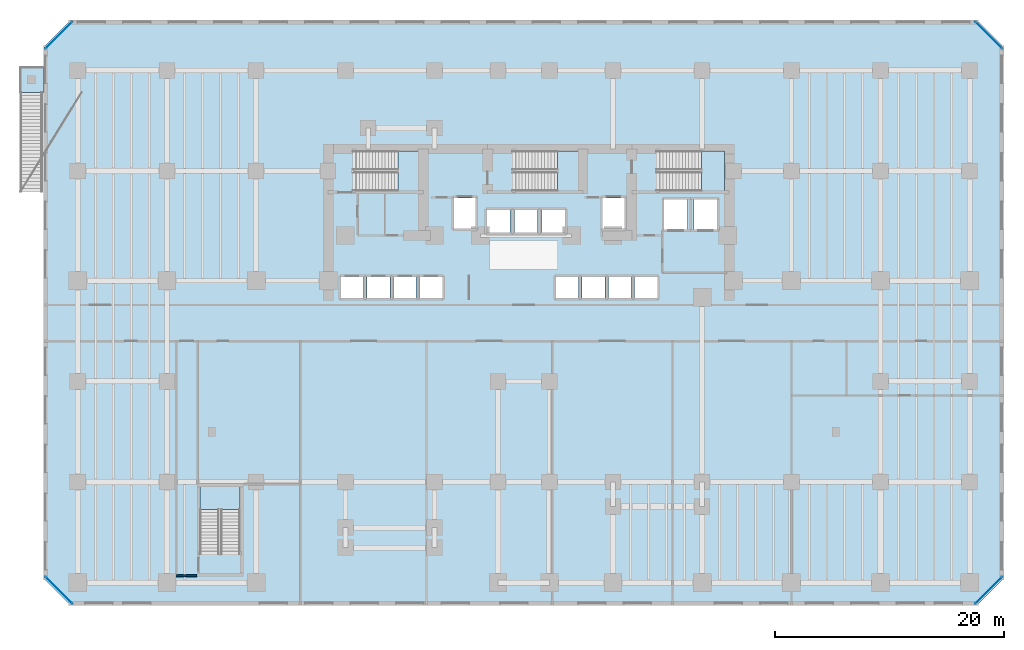
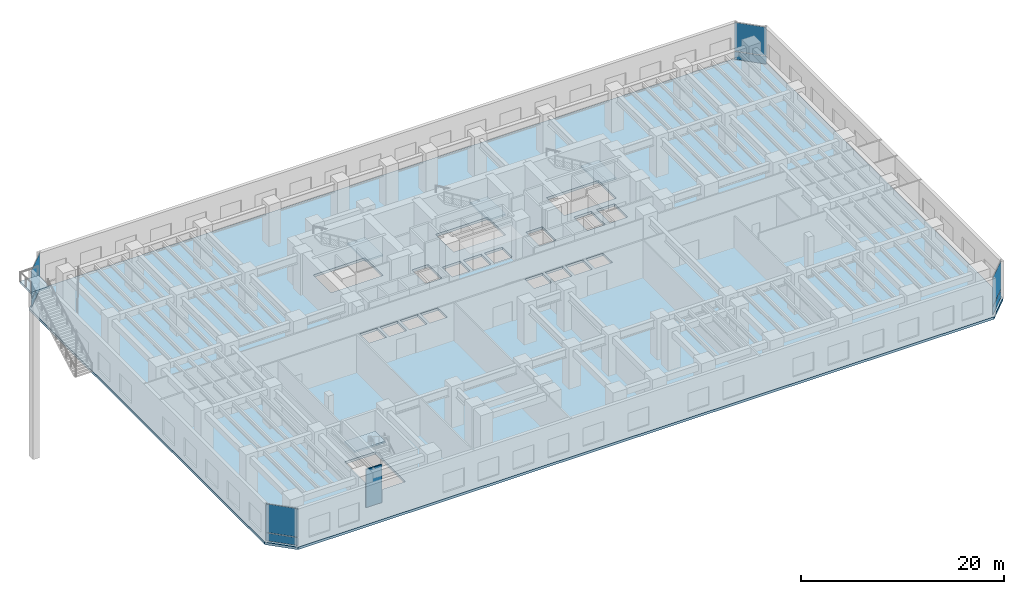
# One storey, part 9 of 20: 8 plates, 6 slabs, 1 wall, 9 elements without a shape of their own.
"""IFC4 building model written with IfcOpenShell, lengths in metres."""

import ifcopenshell
import ifcopenshell.guid

model = None  # the IFC model being written
_history = None  # IfcOwnerHistory: only IFC2X3 demands one
_inside = {}  # id of a spatial element -> (the spatial element, [elements in it])
_under = {}  # id of a project, library or spatial element -> (it, [spatial elements below it])
_declared = {}  # id of a project -> (the project, [libraries it declares])
_typed = {}  # id of a type object -> (the type object, [elements of that type])
_made_of = {}  # id of a material, layer set ... -> (it, [elements and type objects made of it])


def new_model(schema):
    """Start an empty IFC model of exactly this schema.

    Asked for "IFC4X3", IfcOpenShell would pick the latest addendum, in which some entities
    have other attributes; the version numbers below select the first issue.
    IFC2X3 requires an IfcOwnerHistory on every rooted entity: one is made here for all.
    """
    global model, _history
    if schema == "IFC4X3":
        model = ifcopenshell.file(schema_version=(4, 3, 0, 0))
    else:
        model = ifcopenshell.file(schema=schema)
    _inside.clear()
    _under.clear()
    _declared.clear()
    _typed.clear()
    _made_of.clear()
    _history = None
    if model.schema == "IFC2X3":
        org = make("IfcOrganization", Name="unknown")
        user = make(
            "IfcPersonAndOrganization",
            ThePerson=make("IfcPerson", FamilyName="unknown"),
            TheOrganization=org,
        )
        app = make(
            "IfcApplication",
            ApplicationDeveloper=org,
            Version="unknown",
            ApplicationFullName="unknown",
            ApplicationIdentifier="unknown",
        )
        _history = make(
            "IfcOwnerHistory",
            OwningUser=user,
            OwningApplication=app,
            ChangeAction="ADDED",
            CreationDate=0,
        )
    return model


def make(cls, **values):
    """One entity of the class cls with the attributes given. An attribute that is None is left unset."""
    return model.create_entity(
        cls, **{name: value for name, value in values.items() if value is not None}
    )


def rooted(cls, **values):
    """An entity with a GlobalId (a new one), such as an element, a storey or a relation."""
    return make(cls, GlobalId=ifcopenshell.guid.new(), OwnerHistory=_history, **values)


def si_unit(unit_type, name, prefix=None):
    """IfcSIUnit, for example si_unit("LENGTHUNIT", "METRE", prefix="MILLI")."""
    return make("IfcSIUnit", UnitType=unit_type, Prefix=prefix, Name=name)


def assignment(units):
    """IfcUnitAssignment: the units of a project."""
    return None if units is None else make("IfcUnitAssignment", Units=units)


def point(xyz):
    """IfcCartesianPoint."""
    return None if xyz is None else make("IfcCartesianPoint", Coordinates=xyz)


def direction(xyz):
    """IfcDirection."""
    return None if xyz is None else make("IfcDirection", DirectionRatios=xyz)


def frame(location, z_axis=None, x_axis=None):
    """IfcAxis2Placement3D, a coordinate frame: its origin and axes. An axis left out is left unset."""
    return make(
        "IfcAxis2Placement3D",
        Location=point(location),
        Axis=direction(z_axis),
        RefDirection=direction(x_axis),
    )


def frame_2d(location, x_axis=None):
    """IfcAxis2Placement2D, a coordinate frame in the plane: its origin and x axis."""
    return make(
        "IfcAxis2Placement2D", Location=point(location), RefDirection=direction(x_axis)
    )


def origin():
    """The frame at (0, 0, 0) with its axes left unset."""
    return frame((0.0, 0.0, 0.0))


def origin_2d():
    """The frame at (0, 0) in the plane with its x axis left unset."""
    return frame_2d((0.0, 0.0))


def place(relative_to, where):
    """IfcLocalPlacement: puts the frame where relative to a parent placement (None: the world)."""
    return make(
        "IfcLocalPlacement", PlacementRelTo=relative_to, RelativePlacement=where
    )


def context(
    kind, dimensions, precision=None, world=None, true_north=None, identifier=None
):
    """IfcGeometricRepresentationContext, for example the 3D "Model" context."""
    return make(
        "IfcGeometricRepresentationContext",
        ContextIdentifier=identifier,
        ContextType=kind,
        CoordinateSpaceDimension=dimensions,
        Precision=precision,
        WorldCoordinateSystem=world,
        TrueNorth=true_north,
    )


def subcontext(parent, identifier, kind, view, scale=None):
    """IfcGeometricRepresentationSubContext, for example "Body" below "Model"."""
    return make(
        "IfcGeometricRepresentationSubContext",
        ContextIdentifier=identifier,
        ContextType=kind,
        ParentContext=parent,
        TargetScale=scale,
        TargetView=view,
    )


def project(units=None, contexts=None):
    """IfcProject with its units and contexts."""
    return rooted(
        "IfcProject",
        Name="project",
        RepresentationContexts=contexts,
        UnitsInContext=assignment(units),
    )


def spatial(cls, under=None, at=None, **own):
    """A site, building, storey or space (cls), placed at a placement, below another one or the project."""
    s = rooted(cls, ObjectPlacement=at, **own)
    if under is not None:
        _under.setdefault(under.id(), (under, []))[1].append(s)
    return s


def polyline(points):
    """IfcPolyline through the points."""
    return make("IfcPolyline", Points=[point(p) for p in points])


def profile(cls, at=None, kind="AREA", **sizes):
    """A parametric profile (cls). Its sizes go by their IFC names, for example OverallWidth=200.0."""
    return make(cls, ProfileType=kind, Position=at, **sizes)


def rectangle(**sizes):
    """IfcRectangleProfileDef."""
    return profile("IfcRectangleProfileDef", **sizes)


def outline(outer, holes=None, kind="AREA"):
    """IfcArbitraryClosedProfileDef: a profile drawn as a closed curve; with holes, ...WithVoids."""
    if holes is None:
        return make("IfcArbitraryClosedProfileDef", ProfileType=kind, OuterCurve=outer)
    return make(
        "IfcArbitraryProfileDefWithVoids",
        ProfileType=kind,
        OuterCurve=outer,
        InnerCurves=holes,
    )


def extrude(swept, where, along, depth):
    """IfcExtrudedAreaSolid: the profile swept, set in the frame where, extruded along a direction by depth."""
    return make(
        "IfcExtrudedAreaSolid",
        SweptArea=swept,
        Position=where,
        ExtrudedDirection=direction(along),
        Depth=depth,
    )


def shape(context_of_items, identifier, shape_type, items):
    """IfcShapeRepresentation: the items that make up one representation, for example the "Body"."""
    return make(
        "IfcShapeRepresentation",
        ContextOfItems=context_of_items,
        RepresentationIdentifier=identifier,
        RepresentationType=shape_type,
        Items=items,
    )


def material(Name=None, Category=None):
    """IfcMaterial."""
    return make("IfcMaterial", Name=Name, Category=Category)


def layer(
    of_material, thickness, ventilated=None, Name=None, Category=None, Priority=None
):
    """IfcMaterialLayer: one layer of a wall or slab, of a material (None: an air gap)."""
    return make(
        "IfcMaterialLayer",
        Material=of_material,
        LayerThickness=thickness,
        IsVentilated=ventilated,
        Name=Name,
        Category=Category,
        Priority=Priority,
    )


def layer_set(layers, Name=None):
    """IfcMaterialLayerSet."""
    return make("IfcMaterialLayerSet", MaterialLayers=layers, LayerSetName=Name)


def made_of(thing, what):
    """Note that an element or type object is made of a material, layer set ...; save() writes the relation."""
    if what is not None:
        _made_of.setdefault(what.id(), (what, []))[1].append(thing)
    return thing


def type_object(cls, material=None, **own):
    """A type object (cls), such as IfcWallType, which elements share."""
    return made_of(rooted(cls, **own), material)


def element(
    cls,
    number,
    at=None,
    inside=None,
    cuts=None,
    type_object=None,
    material=None,
    context=None,
    identifier="Body",
    shape_type=None,
    held_by="IfcProductDefinitionShape",
    body=None,
    shapes=None,
    **own,
):
    """One element of the class cls, such as IfcWall. Its Tag is "e" and its number.

    at: its placement. inside: the storey or other place that contains it. cuts: it is an
    opening in that element (IfcRelVoidsElement). A single representation is given by context,
    identifier, shape_type and body (its items); several are given by shapes. held_by: the class
    of the entity that holds the representations. save() writes the other relations.
    """
    e = rooted(cls, Tag="e%d" % number, ObjectPlacement=at, **own)
    if body is not None:
        shapes = [shape(context, identifier, shape_type, body)]
    if shapes is not None:
        e.Representation = make(held_by, Representations=shapes)
    if inside is not None:
        _inside.setdefault(inside.id(), (inside, []))[1].append(e)
    if cuts is not None:
        rooted(
            "IfcRelVoidsElement", RelatingBuildingElement=cuts, RelatedOpeningElement=e
        )
    if type_object is not None:
        _typed.setdefault(type_object.id(), (type_object, []))[1].append(e)
    return made_of(e, material)


def aggregate(whole, parts):
    """IfcRelAggregates: a whole, such as a stair, and the parts it consists of."""
    return rooted("IfcRelAggregates", RelatingObject=whole, RelatedObjects=parts)


def save(model, path):
    """Write the relations noted so far, then the file.

    IfcRelAggregates (storeys below a building ...), IfcRelContainedInSpatialStructure (elements
    in a storey), IfcRelDefinesByType, IfcRelAssociatesMaterial and IfcRelDeclares: one each for
    every whole, place, type object, material and project.
    """
    for whole, parts in _under.values():
        aggregate(whole, parts)
    for where, things in _inside.values():
        rooted(
            "IfcRelContainedInSpatialStructure",
            RelatedElements=things,
            RelatingStructure=where,
        )
    for kind, things in _typed.values():
        rooted("IfcRelDefinesByType", RelatedObjects=things, RelatingType=kind)
    for what, things in _made_of.values():
        rooted("IfcRelAssociatesMaterial", RelatedObjects=things, RelatingMaterial=what)
    for by, libraries in _declared.values():
        rooted("IfcRelDeclares", RelatingContext=by, RelatedDefinitions=libraries)
    model.write(path)


model = new_model("IFC4")

# Units and contexts
model_context = context("Model", 3, precision=1e-05, world=origin(), true_north=direction((0.0, 1.0)))
body_context = subcontext(model_context, "Body", "Model", "MODEL_VIEW")
ifc_project = project(units=[si_unit("LENGTHUNIT", "METRE"), si_unit("AREAUNIT", "SQUARE_METRE"), si_unit("VOLUMEUNIT", "CUBIC_METRE"), si_unit("PLANEANGLEUNIT", "RADIAN"), si_unit("MASSUNIT", "GRAM", prefix="KILO")], contexts=[model_context])

# Site, building, storey
site_placement = place(None, origin())
site = spatial("IfcSite", under=ifc_project, at=site_placement, CompositionType="ELEMENT")
building_placement = place(site_placement, origin())
building = spatial("IfcBuilding", under=site, at=building_placement, Name="Kestravale Grand Hotel", CompositionType="ELEMENT")
storey_placement = place(building_placement, frame((0.0, 0.0, 15.800048828125)))
storey = spatial("IfcBuildingStorey", under=building, at=storey_placement, Name="L03", CompositionType="ELEMENT", Elevation=15.800048828125)

# Curtain wall, plates
ifc_material_1 = material(Name="Thermally broken champagne-bronze aluminium and low-E glazing", Category="aluminium")
ifc_layer_1 = layer(ifc_material_1, 0.239990234375)
ifc_layer_set_1 = layer_set([ifc_layer_1], Name="CW-POD")
curtain_wall_type = type_object("IfcCurtainWallType", Name="CW-POD", PredefinedType="NOTDEFINED", material=ifc_layer_set_1)
curtain_wall_1_placement = place(storey_placement, origin())
curtain_wall_1 = element("IfcCurtainWall", 1, at=curtain_wall_1_placement, inside=storey, type_object=curtain_wall_type, Name="L03 unitised curtain wall 2", PredefinedType="NOTDEFINED")
ifc_material_2 = material(Name="Insulated clear low-E double glazing IGU", Category="glass")
ifc_layer_2 = layer(ifc_material_2, 0.035888671875)
ifc_layer_set_2 = layer_set([ifc_layer_2], Name="CW-PNL-36")
plate_type = type_object("IfcPlateType", Name="CW-PNL-36", PredefinedType="CURTAIN_PANEL", material=ifc_layer_set_2)
plate_1_placement = place(storey_placement, frame((79.665771484375, 1.734375, 0.074951171875), z_axis=(0.0, 0.0, 1.0), x_axis=(0.707106781187, 0.707106781187, 0.0)))
plate_1 = element("IfcPlate", 2, at=plate_1_placement, type_object=plate_type, Name="CW-POD panel 1.1", PredefinedType="CURTAIN_PANEL", context=body_context, shape_type="SweptSolid", body=[
    extrude(rectangle(XDim=3.26416015625, YDim=0.035888671875, at=origin_2d()), origin(), (0.0, 0.0, 1.0), 0.9375),
])
plate_2_placement = place(storey_placement, frame((79.665771484375, 1.734375, 1.08740234375), z_axis=(0.0, 0.0, 1.0), x_axis=(0.707106781187, 0.707106781187, 0.0)))
plate_2 = element("IfcPlate", 3, at=plate_2_placement, type_object=plate_type, Name="CW-POD panel 1.2", PredefinedType="CURTAIN_PANEL", context=body_context, shape_type="SweptSolid", body=[
    extrude(rectangle(XDim=3.26416015625, YDim=0.035888671875, at=origin_2d()), origin(), (0.0, 0.0, 1.0), 3.41748046875),
])
aggregate(curtain_wall_1, [plate_1, plate_2])

curtain_wall_2_placement = place(storey_placement, origin())
curtain_wall_2 = element("IfcCurtainWall", 4, at=curtain_wall_2_placement, inside=storey, type_object=curtain_wall_type, Name="L03 unitised curtain wall 4", PredefinedType="NOTDEFINED")
plate_3_placement = place(storey_placement, frame((79.665771484375, 50.265625, 0.074951171875), z_axis=(0.0, 0.0, 1.0), x_axis=(-0.707106781187, 0.707106781187, 0.0)))
plate_3 = element("IfcPlate", 5, at=plate_3_placement, type_object=plate_type, Name="CW-POD panel 1.1", PredefinedType="CURTAIN_PANEL", context=body_context, shape_type="SweptSolid", body=[
    extrude(rectangle(XDim=3.26416015625, YDim=0.035888671875, at=origin_2d()), origin(), (0.0, 0.0, 1.0), 0.9375),
])
plate_4_placement = place(storey_placement, frame((79.665771484375, 50.265625, 1.08740234375), z_axis=(0.0, 0.0, 1.0), x_axis=(-0.707106781187, 0.707106781187, 0.0)))
plate_4 = element("IfcPlate", 6, at=plate_4_placement, type_object=plate_type, Name="CW-POD panel 1.2", PredefinedType="CURTAIN_PANEL", context=body_context, shape_type="SweptSolid", body=[
    extrude(rectangle(XDim=3.26416015625, YDim=0.035888671875, at=origin_2d()), origin(), (0.0, 0.0, 1.0), 3.41748046875),
])
aggregate(curtain_wall_2, [plate_3, plate_4])

curtain_wall_3_placement = place(storey_placement, origin())
curtain_wall_3 = element("IfcCurtainWall", 7, at=curtain_wall_3_placement, inside=storey, type_object=curtain_wall_type, Name="L03 unitised curtain wall 6", PredefinedType="NOTDEFINED")
plate_5_placement = place(storey_placement, frame((-1.665771484375, 50.265625, 0.074951171875), z_axis=(0.0, 0.0, 1.0), x_axis=(-0.707106781187, -0.707106781187, 0.0)))
plate_5 = element("IfcPlate", 8, at=plate_5_placement, type_object=plate_type, Name="CW-POD panel 1.1", PredefinedType="CURTAIN_PANEL", context=body_context, shape_type="SweptSolid", body=[
    extrude(rectangle(XDim=3.26416015625, YDim=0.035888671875, at=origin_2d()), origin(), (0.0, 0.0, 1.0), 0.9375),
])
plate_6_placement = place(storey_placement, frame((-1.665771484375, 50.265625, 1.08740234375), z_axis=(0.0, 0.0, 1.0), x_axis=(-0.707106781187, -0.707106781187, 0.0)))
plate_6 = element("IfcPlate", 9, at=plate_6_placement, type_object=plate_type, Name="CW-POD panel 1.2", PredefinedType="CURTAIN_PANEL", context=body_context, shape_type="SweptSolid", body=[
    extrude(rectangle(XDim=3.26416015625, YDim=0.035888671875, at=origin_2d()), origin(), (0.0, 0.0, 1.0), 3.41748046875),
])
aggregate(curtain_wall_3, [plate_5, plate_6])

curtain_wall_4_placement = place(storey_placement, origin())
curtain_wall_4 = element("IfcCurtainWall", 10, at=curtain_wall_4_placement, inside=storey, type_object=curtain_wall_type, Name="L03 unitised curtain wall 8", PredefinedType="NOTDEFINED")
plate_7_placement = place(storey_placement, frame((-1.665771484375, 1.734375, 0.074951171875), z_axis=(0.0, 0.0, 1.0), x_axis=(0.707106781187, -0.707106781187, 0.0)))
plate_7 = element("IfcPlate", 11, at=plate_7_placement, type_object=plate_type, Name="CW-POD panel 1.1", PredefinedType="CURTAIN_PANEL", context=body_context, shape_type="SweptSolid", body=[
    extrude(rectangle(XDim=3.26416015625, YDim=0.035888671875, at=origin_2d()), origin(), (0.0, 0.0, 1.0), 0.9375),
])
plate_8_placement = place(storey_placement, frame((-1.665771484375, 1.734375, 1.08740234375), z_axis=(0.0, 0.0, 1.0), x_axis=(0.707106781187, -0.707106781187, 0.0)))
plate_8 = element("IfcPlate", 12, at=plate_8_placement, type_object=plate_type, Name="CW-POD panel 1.2", PredefinedType="CURTAIN_PANEL", context=body_context, shape_type="SweptSolid", body=[
    extrude(rectangle(XDim=3.26416015625, YDim=0.035888671875, at=origin_2d()), origin(), (0.0, 0.0, 1.0), 3.41748046875),
])
aggregate(curtain_wall_4, [plate_7, plate_8])

# Stair, slab
ifc_material_3 = material(Name="Concrete f'c 45 MPa", Category="concrete")
stair_type_1 = type_object("IfcStairType", Name="ST-EXT-GDN", PredefinedType="STRAIGHT_RUN_STAIR", material=ifc_material_3)
stair_1_placement = place(storey_placement, origin())
stair_1 = element("IfcStair", 13, at=stair_1_placement, inside=storey, type_object=stair_type_1, Name="L03 cascading public garden stair 4", PredefinedType="STRAIGHT_RUN_STAIR")
ifc_material_4 = material(Name="Concrete f'c 45 MPa", Category="concrete")
ifc_layer_3 = layer(ifc_material_4, 0.25)
ifc_layer_set_3 = layer_set([ifc_layer_3], Name="SLB-EXT-LND")
slab_type_1 = type_object("IfcSlabType", Name="SLB-EXT-LND", PredefinedType="LANDING", material=ifc_layer_set_3)
slab_1_placement = place(storey_placement, frame((0.0, 0.0, 4.75)))
slab_1 = element("IfcSlab", 14, at=slab_1_placement, type_object=slab_type_1, Name="ST-G4 landing 1", PredefinedType="LANDING", context=body_context, shape_type="SweptSolid", body=[
    extrude(outline(polyline([(-5.050048828125, 45.280029296875), (-2.949951171875, 45.280029296875), (-2.949951171875, 47.47998046875), (-5.050048828125, 47.47998046875), (-5.050048828125, 45.280029296875)])), origin(), (0.0, 0.0, 1.0), 0.25),
])
aggregate(stair_1, [slab_1])

ifc_material_5 = material(Name="Concrete f'c 45 MPa", Category="concrete")
stair_type_2 = type_object("IfcStairType", Name="ST-CORE-500", PredefinedType="HALF_TURN_STAIR", material=ifc_material_5)
stair_2_placement = place(storey_placement, origin())
stair_2 = element("IfcStair", 15, at=stair_2_placement, inside=storey, type_object=stair_type_2, Name="L03 ST-1", PredefinedType="HALF_TURN_STAIR")
ifc_material_6 = material(Name="Concrete f'c 45 MPa", Category="concrete")
ifc_layer_4 = layer(ifc_material_6, 0.199951171875)
ifc_layer_set_4 = layer_set([ifc_layer_4], Name="SLB-ST-LND200")
slab_type_2 = type_object("IfcSlabType", Name="SLB-ST-LND200", PredefinedType="LANDING", material=ifc_layer_set_4)
slab_2_placement = place(storey_placement, frame((0.0, 0.0, 2.300048828125)))
slab_2 = element("IfcSlab", 16, at=slab_2_placement, type_object=slab_type_2, Name="ST-1 landing 1", PredefinedType="LANDING", context=body_context, shape_type="SweptSolid", body=[
    extrude(outline(polyline([(28.0, 36.64990234375), (30.0, 36.64990234375), (30.0, 40.159912109375), (28.0, 40.159912109375), (28.0, 36.64990234375)])), origin(), (0.0, 0.0, 1.0), 0.199951171875),
])
aggregate(stair_2, [slab_2])

stair_3_placement = place(storey_placement, origin())
stair_3 = element("IfcStair", 17, at=stair_3_placement, inside=storey, type_object=stair_type_2, Name="L03 ST-2", PredefinedType="HALF_TURN_STAIR")
slab_3_placement = place(storey_placement, frame((0.0, 0.0, 2.300048828125)))
slab_3 = element("IfcSlab", 18, at=slab_3_placement, type_object=slab_type_2, Name="ST-2 landing 1", PredefinedType="LANDING", context=body_context, shape_type="SweptSolid", body=[
    extrude(outline(polyline([(41.949951171875, 36.64990234375), (43.949951171875, 36.64990234375), (43.949951171875, 40.159912109375), (41.949951171875, 40.159912109375), (41.949951171875, 36.64990234375)])), origin(), (0.0, 0.0, 1.0), 0.199951171875),
])
aggregate(stair_3, [slab_3])

stair_4_placement = place(storey_placement, origin())
stair_4 = element("IfcStair", 19, at=stair_4_placement, inside=storey, type_object=stair_type_2, Name="L03 ST-3", PredefinedType="HALF_TURN_STAIR")
slab_4_placement = place(storey_placement, frame((0.0, 0.0, 2.300048828125)))
slab_4 = element("IfcSlab", 20, at=slab_4_placement, type_object=slab_type_2, Name="ST-3 landing 1", PredefinedType="LANDING", context=body_context, shape_type="SweptSolid", body=[
    extrude(outline(polyline([(54.550048828125, 36.64990234375), (56.550048828125, 36.64990234375), (56.550048828125, 40.159912109375), (54.550048828125, 40.159912109375), (54.550048828125, 36.64990234375)])), origin(), (0.0, 0.0, 1.0), 0.199951171875),
])
aggregate(stair_4, [slab_4])

stair_5_placement = place(storey_placement, origin())
stair_5 = element("IfcStair", 21, at=stair_5_placement, inside=storey, type_object=stair_type_2, Name="L03 ST-4", PredefinedType="HALF_TURN_STAIR")
slab_5_placement = place(storey_placement, frame((0.0, 0.0, 2.300048828125)))
slab_5 = element("IfcSlab", 22, at=slab_5_placement, type_object=slab_type_2, Name="ST-4 landing 1", PredefinedType="LANDING", context=body_context, shape_type="SweptSolid", body=[
    extrude(outline(polyline([(14.199951171875, 8.800048828125), (14.199951171875, 10.800048828125), (10.68994140625, 10.800048828125), (10.68994140625, 8.800048828125), (14.199951171875, 8.800048828125)])), origin(), (0.0, 0.0, 1.0), 0.199951171875),
])
aggregate(stair_5, [slab_5])

# Slab
ifc_material_7 = material(Name="Concrete f'c 45 MPa", Category="concrete")
ifc_layer_5 = layer(ifc_material_7, 0.300048828125)
ifc_layer_set_5 = layer_set([ifc_layer_5], Name="SS-POD-300")
slab_type_3 = type_object("IfcSlabType", Name="SS-POD-300", PredefinedType="FLOOR", material=ifc_layer_set_5)
slab_6_placement = place(storey_placement, frame((0.0, 0.0, -0.300048828125)))
element("IfcSlab", 23, at=slab_6_placement, inside=storey, type_object=slab_type_3, Name="L03 structural floor slab", PredefinedType="FLOOR", context=body_context, shape_type="SweptSolid", body=[
    extrude(outline(polyline([(-0.60009765625, 0.39990234375), (78.60009765625, 0.39990234375), (81.0, 2.800048828125), (81.0, 49.199951171875), (78.60009765625, 51.60009765625), (-0.60009765625, 51.60009765625), (-3.0, 49.199951171875), (-3.0, 2.800048828125), (-0.60009765625, 0.39990234375)]), holes=[polyline([(24.080078125, 36.64990234375), (30.0, 36.64990234375), (30.0, 40.159912109375), (24.080078125, 40.159912109375), (24.080078125, 36.64990234375)]), polyline([(38.030029296875, 36.64990234375), (43.949951171875, 36.64990234375), (43.949951171875, 40.159912109375), (38.030029296875, 40.159912109375), (38.030029296875, 36.64990234375)]), polyline([(50.6298828125, 36.64990234375), (56.550048828125, 36.64990234375), (56.550048828125, 40.159912109375), (50.6298828125, 40.159912109375), (50.6298828125, 36.64990234375)]), polyline([(14.199951171875, 4.8798828125), (14.199951171875, 10.800048828125), (10.68994140625, 10.800048828125), (10.68994140625, 4.8798828125), (14.199951171875, 4.8798828125)]), polyline([(23.0048828125, 27.280029296875), (24.9951171875, 27.280029296875), (24.9951171875, 29.1201171875), (23.0048828125, 29.1201171875), (23.0048828125, 27.280029296875)]), polyline([(25.304931640625, 27.280029296875), (27.294921875, 27.280029296875), (27.294921875, 29.1201171875), (25.304931640625, 29.1201171875), (25.304931640625, 27.280029296875)]), polyline([(27.60498046875, 27.280029296875), (29.594970703125, 27.280029296875), (29.594970703125, 29.1201171875), (27.60498046875, 29.1201171875), (27.60498046875, 27.280029296875)]), polyline([(29.905029296875, 27.280029296875), (31.89501953125, 27.280029296875), (31.89501953125, 29.1201171875), (29.905029296875, 29.1201171875), (29.905029296875, 27.280029296875)]), polyline([(41.804931640625, 27.280029296875), (43.794921875, 27.280029296875), (43.794921875, 29.1201171875), (41.804931640625, 29.1201171875), (41.804931640625, 27.280029296875)]), polyline([(44.10498046875, 27.280029296875), (46.094970703125, 27.280029296875), (46.094970703125, 29.1201171875), (44.10498046875, 29.1201171875), (44.10498046875, 27.280029296875)]), polyline([(46.405029296875, 27.280029296875), (48.39501953125, 27.280029296875), (48.39501953125, 29.1201171875), (46.405029296875, 29.1201171875), (46.405029296875, 27.280029296875)]), polyline([(48.705078125, 27.280029296875), (50.695068359375, 27.280029296875), (50.695068359375, 29.1201171875), (48.705078125, 29.1201171875), (48.705078125, 27.280029296875)]), polyline([(35.780029296875, 33.030029296875), (37.820068359375, 33.030029296875), (37.820068359375, 34.969970703125), (35.780029296875, 34.969970703125), (35.780029296875, 33.030029296875)]), polyline([(38.179931640625, 33.030029296875), (40.219970703125, 33.030029296875), (40.219970703125, 34.969970703125), (38.179931640625, 34.969970703125), (38.179931640625, 33.030029296875)]), polyline([(40.580078125, 33.030029296875), (42.6201171875, 33.030029296875), (42.6201171875, 34.969970703125), (40.580078125, 34.969970703125), (40.580078125, 33.030029296875)]), polyline([(32.905029296875, 33.35498046875), (34.794921875, 33.35498046875), (34.794921875, 36.044921875), (32.905029296875, 36.044921875), (32.905029296875, 33.35498046875)]), polyline([(45.905029296875, 33.35498046875), (47.794921875, 33.35498046875), (47.794921875, 36.044921875), (45.905029296875, 36.044921875), (45.905029296875, 33.35498046875)]), polyline([(51.280029296875, 33.280029296875), (53.320068359375, 33.280029296875), (53.320068359375, 35.919921875), (51.280029296875, 35.919921875), (51.280029296875, 33.280029296875)]), polyline([(53.8798828125, 33.280029296875), (55.919921875, 33.280029296875), (55.919921875, 35.919921875), (53.8798828125, 35.919921875), (53.8798828125, 33.280029296875)])]), origin(), (0.0, 0.0, 1.0), 0.300048828125),
])

# Wall
ifc_material_8 = material(Name="Acoustic fire-rated gypsum board partition", Category="other")
ifc_layer_6 = layer(ifc_material_8, 0.159912109375)
ifc_layer_set_6 = layer_set([ifc_layer_6], Name="IW-CORR-160")
wall_type = type_object("IfcWallType", Name="IW-CORR-160", PredefinedType="PARTITIONING", material=ifc_layer_set_6)
wall_placement = place(storey_placement, frame((8.60009765625, 3.0, 0.0), z_axis=(0.0, 0.0, 1.0), x_axis=(1.0, 0.0, 0.0)))
element("IfcWall", 24, at=wall_placement, inside=storey, type_object=wall_type, Name="W-L03-ST4C-S", PredefinedType="PARTITIONING", context=body_context, shape_type="SweptSolid", body=[
    extrude(rectangle(XDim=1.789794921875, YDim=0.159912109375, at=frame_2d((0.89501953125, 0.0))), origin(), (0.0, 0.0, 1.0), 4.579833984375),
])

save(model, "model.ifc")
